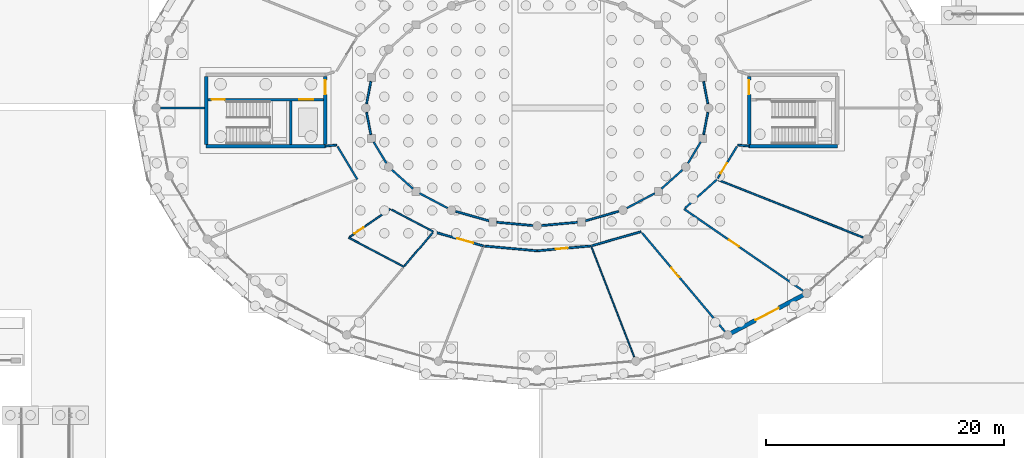
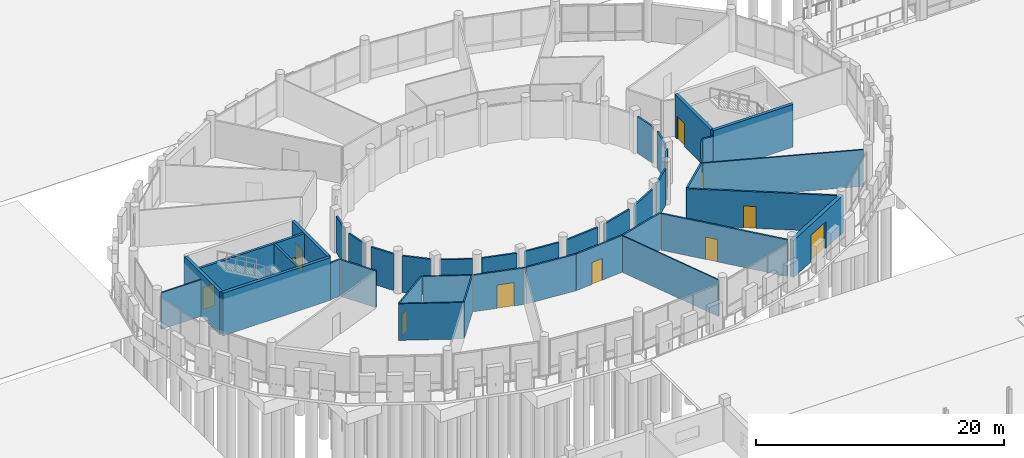
# One storey, part 77 of 98: 40 walls, 11 doors, 11 openings.
"""IFC4 building model written with IfcOpenShell, lengths in metres."""

from ifc_helpers import new_model, si_unit, direction, frame, frame_2d, origin, place, context, subcontext, project, spatial, rectangle, extrude, material, layer, layer_set, type_object, element, fill, save


model = new_model("IFC4")

# Units and contexts
model_context = context("Model", 3, precision=1e-05, world=origin(), true_north=direction((0.0, 1.0)))
body_context = subcontext(model_context, "Body", "Model", "MODEL_VIEW")
ifc_project = project(units=[si_unit("LENGTHUNIT", "METRE"), si_unit("AREAUNIT", "SQUARE_METRE"), si_unit("VOLUMEUNIT", "CUBIC_METRE"), si_unit("PLANEANGLEUNIT", "RADIAN"), si_unit("MASSUNIT", "GRAM", prefix="KILO")], contexts=[model_context])

# Site, building, storey
site_placement = place(None, origin())
site = spatial("IfcSite", under=ifc_project, at=site_placement, CompositionType="ELEMENT")
building_placement = place(site_placement, origin())
building = spatial("IfcBuilding", under=site, at=building_placement, Name="Zornivar Specialist Clinic", CompositionType="ELEMENT")
storey_placement = place(building_placement, origin())
storey = spatial("IfcBuildingStorey", under=building, at=storey_placement, Name="L00", CompositionType="ELEMENT", Elevation=0.0)

# Wall, opening, door
ifc_material_1 = material(Name="Masonry Drum Limestone Portal Wall", Category="masonry")
ifc_layer_1 = layer(ifc_material_1, 0.35009765625)
ifc_layer_set_1 = layer_set([ifc_layer_1], Name="Masonry Drum Limestone Portal Wall")
wall_type_1 = type_object("IfcWallType", Name="EW-DRUM-350", PredefinedType="SOLIDWALL", material=ifc_layer_set_1)
wall_1_placement = place(storey_placement, frame((109.60009765625, 38.547119140625, 0.0), z_axis=(0.0, 0.0, 1.0), x_axis=(0.884425099405, 0.466682165443, 0.0)))
wall_1 = element("IfcWall", 1, at=wall_1_placement, inside=storey, type_object=wall_type_1, Name="ew:V1:L00:c20", PredefinedType="SOLIDWALL", context=body_context, shape_type="SweptSolid", body=[
    extrude(rectangle(XDim=7.492919921875, YDim=0.35009765625, at=frame_2d((3.74658203125, 0.0))), origin(), (0.0, 0.0, 1.0), 3.64990234375),
])
opening_1_placement = place(wall_1_placement, frame((2.64697265625, 0.0, 0.0)))
opening_1 = element("IfcOpeningElement", 2, at=opening_1_placement, cuts=wall_1, Name="Opening ED-01", PredefinedType="OPENING", context=body_context, shape_type="SweptSolid", body=[
    extrude(rectangle(XDim=2.199951171875, YDim=2.60009765625, at=frame_2d((1.10009765625, 1.300048828125))), frame((0.0, 0.18505859375, 0.0), z_axis=(0.0, -1.0, 0.0), x_axis=(1.0, 0.0, 0.0)), (0.0, 0.0, 1.0), 0.3701171875),
])
ifc_material_2 = material(Name="Thermally Broken Glazed Aluminium Door", Category="aluminium")
door_type_1 = type_object("IfcDoorType", Name="ED-MAIN-2200x2600", OperationType="NOTDEFINED", PredefinedType="DOOR", material=ifc_material_2)
door_1_placement = place(opening_1_placement, frame((2.199951171875, 0.0, 0.0), z_axis=(0.0, 0.0, 1.0), x_axis=(-1.0, 0.0, 0.0)))
door_1 = element("IfcDoor", 3, at=door_1_placement, inside=storey, type_object=door_type_1, Name="door:V1:L00:c20", OperationType="DOUBLE_DOOR_SINGLE_SWING", OverallHeight=2.60009765625, OverallWidth=2.199951171875, PredefinedType="DOOR", context=body_context, shape_type="SweptSolid", body=[
    extrude(rectangle(XDim=2.199951171875, YDim=2.60009765625, at=frame_2d((1.10009765625, 1.300048828125))), frame((0.0, 0.02490234375, 0.0), z_axis=(0.0, -1.0, 0.0), x_axis=(1.0, 0.0, 0.0)), (0.0, 0.0, 1.0), 0.050048828125),
])
fill(opening_1, door_1)

# Walls
ifc_material_3 = material(Name="Acoustic Clinical Stud Partition")
ifc_layer_2 = layer(ifc_material_3, 0.139892578125)
ifc_layer_set_2 = layer_set([ifc_layer_2], Name="Acoustic Clinical Stud Partition")
wall_type_2 = type_object("IfcWallType", Name="IW-CLIN-140", PredefinedType="PARTITIONING", material=ifc_layer_set_2)
wall_2_placement = place(storey_placement, frame((65.64501953125, 57.60009765625, 0.0), z_axis=(0.0, 0.0, 1.0), x_axis=(-1.0, 0.0, 0.0)))
element("IfcWall", 4, at=wall_2_placement, inside=storey, type_object=wall_type_2, Name="iw:L00:046", PredefinedType="PARTITIONING", context=body_context, shape_type="SweptSolid", body=[
    extrude(rectangle(XDim=3.675048828125, YDim=0.139892578125, at=frame_2d((1.83740234375, 0.0))), origin(), (0.0, 0.0, 1.0), 3.590087890625),
])
wall_3_placement = place(storey_placement, frame((108.833984375, 51.552978515625, 0.0), z_axis=(0.0, 0.0, 1.0), x_axis=(0.929479211533, -0.368874498073, 0.0)))
element("IfcWall", 5, at=wall_3_placement, inside=storey, type_object=wall_type_2, Name="iw:L00:066", PredefinedType="PARTITIONING", context=body_context, shape_type="SweptSolid", body=[
    extrude(rectangle(XDim=13.0556640625, YDim=0.139892578125, at=frame_2d((6.52783203125, 0.0))), origin(), (0.0, 0.0, 1.0), 3.590087890625),
])
ifc_material_4 = material(Name="Gypsum Fire-Rated Double Stud Partition")
ifc_layer_3 = layer(ifc_material_4, 0.159912109375)
ifc_layer_set_3 = layer_set([ifc_layer_3], Name="Gypsum Fire-Rated Double Stud Partition")
wall_type_3 = type_object("IfcWallType", Name="IW-CORR-EI60-160", PredefinedType="PARTITIONING", material=ifc_layer_set_3)
for number, where, z_axis, x_axis, name in (
    (6, (107.929931640625, 57.962890625, 0.0), (0.0, 0.0, 1.0), (-0.187972268481, 0.982174335992, 0.0), "iw:L00:000"),
    (7, (79.6279296875, 59.8330078125, 0.0), (0.0, 0.0, 1.0), (-0.187972268481, -0.982174335992, 0.0), "iw:L00:011"),
    (8, (79.27001953125, 57.237060546875, 0.0), (0.0, 0.0, 1.0), (0.187972268481, -0.982174335992, 0.0), "iw:L00:012"),
):
    element("IfcWall", number, at=place(storey_placement, frame(where, z_axis=z_axis, x_axis=x_axis)), inside=storey, type_object=wall_type_3, Name=name, PredefinedType="PARTITIONING", context=body_context, shape_type="SweptSolid", body=[
        extrude(rectangle(XDim=1.904052734375, YDim=0.159912109375, at=frame_2d((0.9521484375, 0.0))), origin(), (0.0, 0.0, 1.0), 3.590087890625),
    ])
wall_4_placement = place(storey_placement, frame((79.864013671875, 54.7509765625, 0.0), z_axis=(0.0, 0.0, 1.0), x_axis=(0.515771112958, -0.856726420182, 0.0)))
element("IfcWall", 9, at=wall_4_placement, inside=storey, type_object=wall_type_3, Name="iw:L00:013", PredefinedType="PARTITIONING", context=body_context, shape_type="SweptSolid", body=[
    extrude(rectangle(XDim=2.082275390625, YDim=0.159912109375, at=frame_2d((1.041015625, 0.0))), origin(), (0.0, 0.0, 1.0), 3.590087890625),
])
wall_5_placement = place(storey_placement, frame((81.405029296875, 52.403076171875, 0.0), z_axis=(0.0, 0.0, 1.0), x_axis=(0.744876988428, -0.667201822622, 0.0)))
element("IfcWall", 10, at=wall_5_placement, inside=storey, type_object=wall_type_3, Name="iw:L00:014", PredefinedType="PARTITIONING", context=body_context, shape_type="SweptSolid", body=[
    extrude(rectangle(XDim=2.36669921875, YDim=0.159912109375, at=frame_2d((1.183349609375, 0.0))), origin(), (0.0, 0.0, 1.0), 3.590087890625),
])
wall_6_placement = place(storey_placement, frame((83.714111328125, 50.444091796875, 0.0), z_axis=(0.0, 0.0, 1.0), x_axis=(0.884361662152, -0.466802367727, 0.0)))
element("IfcWall", 11, at=wall_6_placement, inside=storey, type_object=wall_type_3, Name="iw:L00:015", PredefinedType="PARTITIONING", context=body_context, shape_type="SweptSolid", body=[
    extrude(rectangle(XDim=2.667236328125, YDim=0.159912109375, at=frame_2d((1.33349609375, 0.0))), origin(), (0.0, 0.0, 1.0), 3.590087890625),
])
wall_7_placement = place(storey_placement, frame((86.756103515625, 48.925048828125, 0.0), z_axis=(0.0, 0.0, 1.0), x_axis=(0.961742384931, -0.273955443506, 0.0)))
element("IfcWall", 12, at=wall_7_placement, inside=storey, type_object=wall_type_3, Name="iw:L00:016", PredefinedType="PARTITIONING", context=body_context, shape_type="SweptSolid", body=[
    extrude(rectangle(XDim=2.906005859375, YDim=0.159912109375, at=frame_2d((1.453125, 0.0))), origin(), (0.0, 0.0, 1.0), 3.590087890625),
])
for number, where, z_axis, x_axis, name in (
    (13, (90.20703125, 48.007080078125, 0.0), (0.0, 0.0, 1.0), (0.995917548136, -0.090267587293, 0.0), "iw:L00:017"),
    (14, (93.968017578125, 47.73291015625, 0.0), (0.0, 0.0, 1.0), (0.995917548136, 0.090267587293, 0.0), "iw:L00:018"),
):
    element("IfcWall", number, at=place(storey_placement, frame(where, z_axis=z_axis, x_axis=x_axis)), inside=storey, type_object=wall_type_3, Name=name, PredefinedType="PARTITIONING", context=body_context, shape_type="SweptSolid", body=[
        extrude(rectangle(XDim=3.037353515625, YDim=0.159912109375, at=frame_2d((1.5185546875, 0.0))), origin(), (0.0, 0.0, 1.0), 3.590087890625),
    ])
wall_8_placement = place(storey_placement, frame((97.64892578125, 48.12890625, 0.0), z_axis=(0.0, 0.0, 1.0), x_axis=(0.961748689224, 0.273933310818, 0.0)))
element("IfcWall", 15, at=wall_8_placement, inside=storey, type_object=wall_type_3, Name="iw:L00:019", PredefinedType="PARTITIONING", context=body_context, shape_type="SweptSolid", body=[
    extrude(rectangle(XDim=2.90625, YDim=0.159912109375, at=frame_2d((1.453125, 0.0))), origin(), (0.0, 0.0, 1.0), 3.590087890625),
])
wall_9_placement = place(storey_placement, frame((101.126953125, 49.198974609375, 0.0), z_axis=(0.0, 0.0, 1.0), x_axis=(0.884381604498, 0.466764584802, 0.0)))
element("IfcWall", 16, at=wall_9_placement, inside=storey, type_object=wall_type_3, Name="iw:L00:020", PredefinedType="PARTITIONING", context=body_context, shape_type="SweptSolid", body=[
    extrude(rectangle(XDim=2.66748046875, YDim=0.159912109375, at=frame_2d((1.333740234375, 0.0))), origin(), (0.0, 0.0, 1.0), 3.590087890625),
])
wall_10_placement = place(storey_placement, frame((104.031982421875, 50.822998046875, 0.0), z_axis=(0.0, 0.0, 1.0), x_axis=(0.744671945921, 0.667430665282, 0.0)))
element("IfcWall", 17, at=wall_10_placement, inside=storey, type_object=wall_type_3, Name="iw:L00:021", PredefinedType="PARTITIONING", context=body_context, shape_type="SweptSolid", body=[
    extrude(rectangle(XDim=2.367431640625, YDim=0.159912109375, at=frame_2d((1.18359375, 0.0))), origin(), (0.0, 0.0, 1.0), 3.590087890625),
])
wall_11_placement = place(storey_placement, frame((106.261962890625, 52.967041015625, 0.0), z_axis=(0.0, 0.0, 1.0), x_axis=(0.515771112958, 0.856726420182, 0.0)))
element("IfcWall", 18, at=wall_11_placement, inside=storey, type_object=wall_type_3, Name="iw:L00:022", PredefinedType="PARTITIONING", context=body_context, shape_type="SweptSolid", body=[
    extrude(rectangle(XDim=2.082275390625, YDim=0.159912109375, at=frame_2d((1.041015625, 0.0))), origin(), (0.0, 0.0, 1.0), 3.590087890625),
])
wall_12_placement = place(storey_placement, frame((107.572021484375, 55.366943359375, 0.0), z_axis=(0.0, 0.0, 1.0), x_axis=(0.187972268481, 0.982174335992, 0.0)))
element("IfcWall", 19, at=wall_12_placement, inside=storey, type_object=wall_type_3, Name="iw:L00:023", PredefinedType="PARTITIONING", context=body_context, shape_type="SweptSolid", body=[
    extrude(rectangle(XDim=1.904052734375, YDim=0.159912109375, at=frame_2d((0.9521484375, 0.0))), origin(), (0.0, 0.0, 1.0), 3.590087890625),
])
wall_13_placement = place(storey_placement, frame((75.800048828125, 54.39990234375, 0.0), z_axis=(0.0, 0.0, 1.0), x_axis=(0.994851446462, 0.101343966136, 0.0)))
element("IfcWall", 20, at=wall_13_placement, inside=storey, type_object=wall_type_3, Name="iw:L00:049", PredefinedType="PARTITIONING", context=body_context, shape_type="SweptSolid", body=[
    extrude(rectangle(XDim=0.958740234375, YDim=0.159912109375, at=frame_2d((0.4794921875, 0.0))), origin(), (0.0, 0.0, 1.0), 3.590087890625),
])
wall_14_placement = place(storey_placement, frame((76.826904296875, 54.3759765625, 0.0), z_axis=(0.0, 0.0, 1.0), x_axis=(0.515993285702, -0.85659262728, 0.0)))
element("IfcWall", 21, at=wall_14_placement, inside=storey, type_object=wall_type_3, Name="iw:L00:050", PredefinedType="PARTITIONING", context=body_context, shape_type="SweptSolid", body=[
    extrude(rectangle(XDim=3.23486328125, YDim=0.159912109375, at=frame_2d((1.617431640625, 0.0))), origin(), (0.0, 0.0, 1.0), 3.590087890625),
])

# Wall, opening, door
wall_15_placement = place(storey_placement, frame((84.998046875, 47.181884765625, 0.0), z_axis=(0.0, 0.0, 1.0), x_axis=(0.961841952324, -0.27360566286, 0.0)))
wall_15 = element("IfcWall", 22, at=wall_15_placement, inside=storey, type_object=wall_type_3, Name="iw:L00:057", PredefinedType="PARTITIONING", context=body_context, shape_type="SweptSolid", body=[
    extrude(rectangle(XDim=4.25, YDim=0.159912109375, at=frame_2d((2.125, 0.0))), origin(), (0.0, 0.0, 1.0), 3.590087890625),
])
opening_2_placement = place(wall_15_placement, frame((1.949951171875, 0.0, 0.0)))
opening_2 = element("IfcOpeningElement", 23, at=opening_2_placement, cuts=wall_15, Name="Opening ID-12", PredefinedType="OPENING", context=body_context, shape_type="SweptSolid", body=[
    extrude(rectangle(XDim=1.39990234375, YDim=2.300048828125, at=frame_2d((0.699951171875, 1.14990234375))), frame((0.0, 0.08984375, 0.0), z_axis=(0.0, -1.0, 0.0), x_axis=(1.0, 0.0, 0.0)), (0.0, 0.0, 1.0), 0.179931640625),
])
ifc_material_5 = material(Name="Solid-Core Hygienic Laminate Timber Door", Category="wood")
door_type_2 = type_object("IfcDoorType", Name="ID-WAIT-1400x2300", OperationType="NOTDEFINED", PredefinedType="DOOR", material=ifc_material_5)
door_2_placement = place(opening_2_placement, origin())
door_2 = element("IfcDoor", 24, at=door_2_placement, inside=storey, type_object=door_type_2, Name="door:space:V1:L00:rm:11", OperationType="DOUBLE_DOOR_SINGLE_SWING", OverallHeight=2.300048828125, OverallWidth=1.39990234375, PredefinedType="DOOR", context=body_context, shape_type="SweptSolid", body=[
    extrude(rectangle(XDim=1.39990234375, YDim=2.300048828125, at=frame_2d((0.699951171875, 1.14990234375))), frame((0.0, 0.02490234375, 0.0), z_axis=(0.0, -1.0, 0.0), x_axis=(1.0, 0.0, 0.0)), (0.0, 0.0, 1.0), 0.050048828125),
])
fill(opening_2, door_2)

wall_16_placement = place(storey_placement, frame((93.60009765625, 45.610107421875, 0.0), z_axis=(0.0, 0.0, 1.0), x_axis=(0.995921415334, 0.090224910524, 0.0)))
wall_16 = element("IfcWall", 25, at=wall_16_placement, inside=storey, type_object=wall_type_3, Name="iw:L00:059", PredefinedType="PARTITIONING", context=body_context, shape_type="SweptSolid", body=[
    extrude(rectangle(XDim=4.532470703125, YDim=0.159912109375, at=frame_2d((2.26611328125, 0.0))), origin(), (0.0, 0.0, 1.0), 3.590087890625),
])
opening_3_placement = place(wall_16_placement, frame((1.552001953125, 0.0, 0.0)))
opening_3 = element("IfcOpeningElement", 26, at=opening_3_placement, cuts=wall_16, Name="Opening ID-04", PredefinedType="OPENING", context=body_context, shape_type="SweptSolid", body=[
    extrude(rectangle(XDim=1.0, YDim=2.14990234375, at=frame_2d((0.5, 1.074951171875))), frame((0.0, 0.08984375, 0.0), z_axis=(0.0, -1.0, 0.0), x_axis=(1.0, 0.0, 0.0)), (0.0, 0.0, 1.0), 0.179931640625),
])
ifc_material_6 = material(Name="Solid-Core Hygienic Laminate Timber Door", Category="wood")
door_type_3 = type_object("IfcDoorType", Name="ID-EXAM-1000x2150", OperationType="NOTDEFINED", PredefinedType="DOOR", material=ifc_material_6)
door_3_placement = place(opening_3_placement, origin())
door_3 = element("IfcDoor", 27, at=door_3_placement, inside=storey, type_object=door_type_3, Name="door:space:V1:L00:rm:12", OperationType="SINGLE_SWING_LEFT", OverallHeight=2.14990234375, OverallWidth=1.0, PredefinedType="DOOR", context=body_context, shape_type="SweptSolid", body=[
    extrude(rectangle(XDim=1.0, YDim=2.14990234375, at=frame_2d((0.5, 1.074951171875))), frame((0.0, 0.02490234375, 0.0), z_axis=(0.0, -1.0, 0.0), x_axis=(1.0, 0.0, 0.0)), (0.0, 0.0, 1.0), 0.050048828125),
])
fill(opening_3, door_3)

# Walls
wall_17_placement = place(storey_placement, frame((89.18603515625, 46.010009765625, 0.0), z_axis=(0.0, 0.0, 1.0), x_axis=(0.995918521986, -0.090256842203, 0.0)))
element("IfcWall", 28, at=wall_17_placement, inside=storey, type_object=wall_type_3, Name="iw:L00:061", PredefinedType="PARTITIONING", context=body_context, shape_type="SweptSolid", body=[
    extrude(rectangle(XDim=4.419921875, YDim=0.159912109375, at=frame_2d((2.2099609375, 0.0))), origin(), (0.0, 0.0, 1.0), 3.590087890625),
])
wall_18_placement = place(storey_placement, frame((98.18798828125, 46.0400390625, 0.0), z_axis=(0.0, 0.0, 1.0), x_axis=(0.961804365472, 0.273737762392, 0.0)))
element("IfcWall", 29, at=wall_18_placement, inside=storey, type_object=wall_type_3, Name="iw:L00:062", PredefinedType="PARTITIONING", context=body_context, shape_type="SweptSolid", body=[
    extrude(rectangle(XDim=4.296142578125, YDim=0.159912109375, at=frame_2d((2.14794921875, 0.0))), origin(), (0.0, 0.0, 1.0), 3.590087890625),
])

# Wall, opening, door
wall_19_placement = place(storey_placement, frame((102.408935546875, 47.110107421875, 0.0), z_axis=(0.0, 0.0, 1.0), x_axis=(0.643078226154, -0.765800492978, 0.0)))
wall_19 = element("IfcWall", 30, at=wall_19_placement, inside=storey, type_object=wall_type_3, Name="iw:L00:063", PredefinedType="PARTITIONING", context=body_context, shape_type="SweptSolid", body=[
    extrude(rectangle(XDim=10.812255859375, YDim=0.159912109375, at=frame_2d((5.40625, 0.0))), origin(), (0.0, 0.0, 1.0), 3.590087890625),
])
opening_4_placement = place(wall_19_placement, frame((3.81103515625, 0.0, 0.0)))
opening_4 = element("IfcOpeningElement", 31, at=opening_4_placement, cuts=wall_19, Name="Opening ID-15", PredefinedType="OPENING", context=body_context, shape_type="SweptSolid", body=[
    extrude(rectangle(XDim=1.050048828125, YDim=2.199951171875, at=frame_2d((0.52490234375, 1.10009765625))), frame((0.0, 0.08984375, 0.0), z_axis=(0.0, -1.0, 0.0), x_axis=(1.0, 0.0, 0.0)), (0.0, 0.0, 1.0), 0.179931640625),
])
ifc_material_7 = material(Name="Solid-Core Hygienic Laminate Timber Door", Category="wood")
door_type_4 = type_object("IfcDoorType", Name="ID-COUNS-1050x2200", OperationType="NOTDEFINED", PredefinedType="DOOR", material=ifc_material_7)
door_4_placement = place(opening_4_placement, origin())
door_4 = element("IfcDoor", 32, at=door_4_placement, inside=storey, type_object=door_type_4, Name="door:space:V1:L00:rm:13", OperationType="SINGLE_SWING_RIGHT", OverallHeight=2.199951171875, OverallWidth=1.050048828125, PredefinedType="DOOR", context=body_context, shape_type="SweptSolid", body=[
    extrude(rectangle(XDim=1.050048828125, YDim=2.199951171875, at=frame_2d((0.52490234375, 1.10009765625))), frame((0.0, 0.02490234375, 0.0), z_axis=(0.0, -1.0, 0.0), x_axis=(1.0, 0.0, 0.0)), (0.0, 0.0, 1.0), 0.050048828125),
])
fill(opening_4, door_4)

wall_20_placement = place(storey_placement, frame((115.922119140625, 42.25390625, 0.0), z_axis=(0.0, 0.0, 1.0), x_axis=(-0.824046624816, 0.566521985565, 0.0)))
wall_20 = element("IfcWall", 33, at=wall_20_placement, inside=storey, type_object=wall_type_3, Name="iw:L00:064", PredefinedType="PARTITIONING", context=body_context, shape_type="SweptSolid", body=[
    extrude(rectangle(XDim=12.123291015625, YDim=0.159912109375, at=frame_2d((6.0615234375, 0.0))), origin(), (0.0, 0.0, 1.0), 3.590087890625),
])
opening_5_placement = place(wall_20_placement, frame((6.529052734375, 0.0, 0.0)))
opening_5 = element("IfcOpeningElement", 34, at=opening_5_placement, cuts=wall_20, Name="Opening ID-04", PredefinedType="OPENING", context=body_context, shape_type="SweptSolid", body=[
    extrude(rectangle(XDim=1.0, YDim=2.14990234375, at=frame_2d((0.5, 1.074951171875))), frame((0.0, 0.08984375, 0.0), z_axis=(0.0, -1.0, 0.0), x_axis=(1.0, 0.0, 0.0)), (0.0, 0.0, 1.0), 0.179931640625),
])
door_5_placement = place(opening_5_placement, origin())
door_5 = element("IfcDoor", 35, at=door_5_placement, inside=storey, type_object=door_type_3, Name="door:space:V1:L00:rm:14", OperationType="SINGLE_SWING_LEFT", OverallHeight=2.14990234375, OverallWidth=1.0, PredefinedType="DOOR", context=body_context, shape_type="SweptSolid", body=[
    extrude(rectangle(XDim=1.0, YDim=2.14990234375, at=frame_2d((0.5, 1.074951171875))), frame((0.0, 0.02490234375, 0.0), z_axis=(0.0, -1.0, 0.0), x_axis=(1.0, 0.0, 0.0)), (0.0, 0.0, 1.0), 0.050048828125),
])
fill(opening_5, door_5)

# Walls
wall_21_placement = place(storey_placement, frame((106.01904296875, 49.198974609375, 0.0), z_axis=(0.0, 0.0, 1.0), x_axis=(0.744746986202, 0.667346931171, 0.0)))
element("IfcWall", 36, at=wall_21_placement, inside=storey, type_object=wall_type_3, Name="iw:L00:065", PredefinedType="PARTITIONING", context=body_context, shape_type="SweptSolid", body=[
    extrude(rectangle(XDim=3.605224609375, YDim=0.159912109375, at=frame_2d((1.802734375, 0.0))), origin(), (0.0, 0.0, 1.0), 3.590087890625),
])
wall_22_placement = place(storey_placement, frame((110.446044921875, 54.4970703125, 0.0), z_axis=(0.0, 0.0, 1.0), x_axis=(0.994851446462, -0.101343966136, 0.0)))
element("IfcWall", 37, at=wall_22_placement, inside=storey, type_object=wall_type_3, Name="iw:L00:067", PredefinedType="PARTITIONING", context=body_context, shape_type="SweptSolid", body=[
    extrude(rectangle(XDim=0.958740234375, YDim=0.159912109375, at=frame_2d((0.4794921875, 0.0))), origin(), (0.0, 0.0, 1.0), 3.590087890625),
])

# Wall, opening, door
wall_23_placement = place(storey_placement, frame((108.7548828125, 51.68896484375, 0.0), z_axis=(0.0, 0.0, 1.0), x_axis=(0.515891527753, 0.85665391588, 0.0)))
wall_23 = element("IfcWall", 38, at=wall_23_placement, inside=storey, type_object=wall_type_3, Name="iw:L00:068", PredefinedType="PARTITIONING", context=body_context, shape_type="SweptSolid", body=[
    extrude(rectangle(XDim=3.13671875, YDim=0.159912109375, at=frame_2d((1.568359375, 0.0))), origin(), (0.0, 0.0, 1.0), 3.590087890625),
])
opening_6_placement = place(wall_23_placement, frame((0.47998046875, 0.0, 0.0)))
opening_6 = element("IfcOpeningElement", 39, at=opening_6_placement, cuts=wall_23, Name="Opening ID-04", PredefinedType="OPENING", context=body_context, shape_type="SweptSolid", body=[
    extrude(rectangle(XDim=1.0, YDim=2.14990234375, at=frame_2d((0.5, 1.074951171875))), frame((0.0, 0.08984375, 0.0), z_axis=(0.0, -1.0, 0.0), x_axis=(1.0, 0.0, 0.0)), (0.0, 0.0, 1.0), 0.179931640625),
])
door_6_placement = place(opening_6_placement, origin())
door_6 = element("IfcDoor", 40, at=door_6_placement, inside=storey, type_object=door_type_3, Name="door:space:V1:L00:rm:15", OperationType="SINGLE_SWING_RIGHT", OverallHeight=2.14990234375, OverallWidth=1.0, PredefinedType="DOOR", context=body_context, shape_type="SweptSolid", body=[
    extrude(rectangle(XDim=1.0, YDim=2.14990234375, at=frame_2d((0.5, 1.074951171875))), frame((0.0, 0.02490234375, 0.0), z_axis=(0.0, -1.0, 0.0), x_axis=(1.0, 0.0, 0.0)), (0.0, 0.0, 1.0), 0.050048828125),
])
fill(opening_6, door_6)

# Walls
ifc_material_8 = material(Name="Acoustic Sub-Waiting Alcove Partition")
ifc_layer_4 = layer(ifc_material_8, 0.110107421875)
ifc_layer_set_4 = layer_set([ifc_layer_4], Name="Acoustic Sub-Waiting Alcove Partition")
wall_type_4 = type_object("IfcWallType", Name="IW-SUBWAIT-110", PredefinedType="PARTITIONING", material=ifc_layer_set_4)
wall_24_placement = place(storey_placement, frame((98.155029296875, 45.9130859375, 0.0), z_axis=(0.0, 0.0, 1.0), x_axis=(0.363168991576, -0.931723287011, 0.0)))
element("IfcWall", 41, at=wall_24_placement, inside=storey, type_object=wall_type_4, Name="iw:L00:060", PredefinedType="PARTITIONING", context=body_context, shape_type="SweptSolid", body=[
    extrude(rectangle(XDim=9.8935546875, YDim=0.110107421875, at=frame_2d((4.94677734375, 0.0))), origin(), (0.0, 0.0, 1.0), 3.590087890625),
])
ifc_material_9 = material(Name="Moisture-Resistant Sanitary Partition")
ifc_layer_5 = layer(ifc_material_9, 0.1298828125)
ifc_layer_set_5 = layer_set([ifc_layer_5], Name="Moisture-Resistant Sanitary Partition")
wall_type_5 = type_object("IfcWallType", Name="IW-WET-130", PredefinedType="PARTITIONING", material=ifc_layer_set_5)
wall_25_placement = place(storey_placement, frame((82.405029296875, 44.26904296875, 0.0), z_axis=(0.0, 0.0, 1.0), x_axis=(-0.8844824522, 0.466573458042, 0.0)))
element("IfcWall", 42, at=wall_25_placement, inside=storey, type_object=wall_type_5, Name="iw:L00:052", PredefinedType="PARTITIONING", context=body_context, shape_type="SweptSolid", body=[
    extrude(rectangle(XDim=5.24267578125, YDim=0.1298828125, at=frame_2d((2.621337890625, 0.0))), origin(), (0.0, 0.0, 1.0), 3.590087890625),
])

# Wall, opening, door
wall_26_placement = place(storey_placement, frame((77.8701171875, 46.784912109375, 0.0), z_axis=(0.0, 0.0, 1.0), x_axis=(0.823920996576, 0.566704677412, 0.0)))
wall_26 = element("IfcWall", 43, at=wall_26_placement, inside=storey, type_object=wall_type_5, Name="iw:L00:053", PredefinedType="PARTITIONING", context=body_context, shape_type="SweptSolid", body=[
    extrude(rectangle(XDim=4.1240234375, YDim=0.1298828125, at=frame_2d((2.06201171875, 0.0))), origin(), (0.0, 0.0, 1.0), 3.590087890625),
])
opening_7_placement = place(wall_26_placement, frame((0.47998046875, 0.0, 0.0)))
opening_7 = element("IfcOpeningElement", 44, at=opening_7_placement, cuts=wall_26, Name="Opening ID-08", PredefinedType="OPENING", context=body_context, shape_type="SweptSolid", body=[
    extrude(rectangle(XDim=0.89990234375, YDim=2.10009765625, at=frame_2d((0.449951171875, 1.050048828125))), frame((0.0, 0.074951171875, 0.0), z_axis=(0.0, -1.0, 0.0), x_axis=(1.0, 0.0, 0.0)), (0.0, 0.0, 1.0), 0.14990234375),
])
ifc_material_10 = material(Name="Solid-Core Hygienic Laminate Timber Door", Category="wood")
door_type_5 = type_object("IfcDoorType", Name="ID-WC-STD-0900x2100", OperationType="NOTDEFINED", PredefinedType="DOOR", material=ifc_material_10)
door_7_placement = place(opening_7_placement, origin())
door_7 = element("IfcDoor", 45, at=door_7_placement, inside=storey, type_object=door_type_5, Name="door:space:V1:L00:rm:10", OperationType="SINGLE_SWING_LEFT", OverallHeight=2.10009765625, OverallWidth=0.89990234375, PredefinedType="DOOR", context=body_context, shape_type="SweptSolid", body=[
    extrude(rectangle(XDim=0.89990234375, YDim=2.10009765625, at=frame_2d((0.449951171875, 1.050048828125))), frame((0.0, 0.02490234375, 0.0), z_axis=(0.0, -1.0, 0.0), x_axis=(1.0, 0.0, 0.0)), (0.0, 0.0, 1.0), 0.050048828125),
])
fill(opening_7, door_7)

# Walls
wall_27_placement = place(storey_placement, frame((81.376953125, 49.06396484375, 0.0), z_axis=(0.0, 0.0, 1.0), x_axis=(0.884475212642, -0.466587181802, 0.0)))
element("IfcWall", 46, at=wall_27_placement, inside=storey, type_object=wall_type_5, Name="iw:L00:054", PredefinedType="PARTITIONING", context=body_context, shape_type="SweptSolid", body=[
    extrude(rectangle(XDim=3.96044921875, YDim=0.1298828125, at=frame_2d((1.980224609375, 0.0))), origin(), (0.0, 0.0, 1.0), 3.590087890625),
])
wall_28_placement = place(storey_placement, frame((84.819091796875, 47.14306640625, 0.0), z_axis=(0.0, 0.0, 1.0), x_axis=(-0.643218693498, -0.765682514059, 0.0)))
element("IfcWall", 47, at=wall_28_placement, inside=storey, type_object=wall_type_5, Name="iw:L00:055", PredefinedType="PARTITIONING", context=body_context, shape_type="SweptSolid", body=[
    extrude(rectangle(XDim=3.658203125, YDim=0.1298828125, at=frame_2d((1.8291015625, 0.0))), origin(), (0.0, 0.0, 1.0), 3.590087890625),
])
ifc_material_11 = material(Name="Concrete C35/45", Category="concrete")
ifc_layer_6 = layer(ifc_material_11, 0.280029296875)
ifc_layer_set_6 = layer_set([ifc_layer_6], Name="Concrete C35/45")
wall_type_6 = type_object("IfcWallType", Name="SW-CORE-280", PredefinedType="SHEAR", material=ifc_layer_set_6)
wall_29_placement = place(storey_placement, frame((65.800048828125, 54.39990234375, 0.0), z_axis=(0.0, 0.0, 1.0), x_axis=(1.0, 0.0, 0.0)))
element("IfcWall", 48, at=wall_29_placement, inside=storey, type_object=wall_type_6, Name="sw:C3:L00:w0", PredefinedType="SHEAR", context=body_context, shape_type="SweptSolid", body=[
    extrude(rectangle(XDim=10.0, YDim=0.280029296875, at=frame_2d((5.0, 0.0))), origin(), (0.0, 0.0, 1.0), 4.2099609375),
])

# Wall, opening, door
wall_30_placement = place(storey_placement, frame((75.800048828125, 54.5400390625, 0.0), z_axis=(0.0, 0.0, 1.0), x_axis=(0.0, 1.0, 0.0)))
wall_30 = element("IfcWall", 49, at=wall_30_placement, inside=storey, type_object=wall_type_6, Name="sw:C3:L00:w1", PredefinedType="SHEAR", context=body_context, shape_type="SweptSolid", body=[
    extrude(rectangle(XDim=5.719970703125, YDim=0.280029296875, at=frame_2d((2.85986328125, 0.0))), origin(), (0.0, 0.0, 1.0), 4.2099609375),
])
opening_8_placement = place(wall_30_placement, frame((4.199951171875, 0.0, 0.0)))
opening_8 = element("IfcOpeningElement", 50, at=opening_8_placement, cuts=wall_30, Name="Opening FD-01", PredefinedType="OPENING", context=body_context, shape_type="SweptSolid", body=[
    extrude(rectangle(XDim=1.199951171875, YDim=2.25, at=frame_2d((0.60009765625, 1.125))), frame((0.0, 0.14990234375, 0.0), z_axis=(0.0, -1.0, 0.0), x_axis=(1.0, 0.0, 0.0)), (0.0, 0.0, 1.0), 0.300048828125),
])
ifc_material_12 = material(Name="Solid-Core Hygienic Laminate Timber Door", Category="wood")
door_type_6 = type_object("IfcDoorType", Name="FD-LOBBY-MAIN-1200x2250", OperationType="NOTDEFINED", PredefinedType="DOOR", material=ifc_material_12)
door_8_placement = place(opening_8_placement, origin())
door_8 = element("IfcDoor", 51, at=door_8_placement, inside=storey, type_object=door_type_6, Name="door:C3:L00:lob", OperationType="SINGLE_SWING_RIGHT", OverallHeight=2.25, OverallWidth=1.199951171875, PredefinedType="DOOR", context=body_context, shape_type="SweptSolid", body=[
    extrude(rectangle(XDim=1.199951171875, YDim=2.25, at=frame_2d((0.60009765625, 1.125))), frame((0.0, 0.02490234375, 0.0), z_axis=(0.0, -1.0, 0.0), x_axis=(1.0, 0.0, 0.0)), (0.0, 0.0, 1.0), 0.050048828125),
])
fill(opening_8, door_8)

# Walls
wall_31_placement = place(storey_placement, frame((65.800048828125, 60.260009765625, 0.0), z_axis=(0.0, 0.0, 1.0), x_axis=(0.0, -1.0, 0.0)))
element("IfcWall", 52, at=wall_31_placement, inside=storey, type_object=wall_type_6, Name="sw:C3:L00:w3", PredefinedType="SHEAR", context=body_context, shape_type="SweptSolid", body=[
    extrude(rectangle(XDim=5.719970703125, YDim=0.280029296875, at=frame_2d((2.85986328125, 0.0))), origin(), (0.0, 0.0, 1.0), 4.2099609375),
])
wall_32_placement = place(storey_placement, frame((111.39990234375, 54.39990234375, 0.0), z_axis=(0.0, 0.0, 1.0), x_axis=(1.0, 0.0, 0.0)))
element("IfcWall", 53, at=wall_32_placement, inside=storey, type_object=wall_type_6, Name="sw:C4:L00:w0", PredefinedType="SHEAR", context=body_context, shape_type="SweptSolid", body=[
    extrude(rectangle(XDim=7.400146484375, YDim=0.280029296875, at=frame_2d((3.7001953125, 0.0))), origin(), (0.0, 0.0, 1.0), 4.2099609375),
])

# Wall, opening, door
wall_33_placement = place(storey_placement, frame((111.39990234375, 60.260009765625, 0.0), z_axis=(0.0, 0.0, 1.0), x_axis=(0.0, -1.0, 0.0)))
wall_33 = element("IfcWall", 54, at=wall_33_placement, inside=storey, type_object=wall_type_6, Name="sw:C4:L00:w3", PredefinedType="SHEAR", context=body_context, shape_type="SweptSolid", body=[
    extrude(rectangle(XDim=5.719970703125, YDim=0.280029296875, at=frame_2d((2.85986328125, 0.0))), origin(), (0.0, 0.0, 1.0), 4.2099609375),
])
opening_9_placement = place(wall_33_placement, frame((0.320068359375, 0.0, 0.0)))
opening_9 = element("IfcOpeningElement", 55, at=opening_9_placement, cuts=wall_33, Name="Opening FD-01", PredefinedType="OPENING", context=body_context, shape_type="SweptSolid", body=[
    extrude(rectangle(XDim=1.199951171875, YDim=2.25, at=frame_2d((0.60009765625, 1.125))), frame((0.0, 0.14990234375, 0.0), z_axis=(0.0, -1.0, 0.0), x_axis=(1.0, 0.0, 0.0)), (0.0, 0.0, 1.0), 0.300048828125),
])
door_9_placement = place(opening_9_placement, origin())
door_9 = element("IfcDoor", 56, at=door_9_placement, inside=storey, type_object=door_type_6, Name="door:C4:L00:lob", OperationType="SINGLE_SWING_RIGHT", OverallHeight=2.25, OverallWidth=1.199951171875, PredefinedType="DOOR", context=body_context, shape_type="SweptSolid", body=[
    extrude(rectangle(XDim=1.199951171875, YDim=2.25, at=frame_2d((0.60009765625, 1.125))), frame((0.0, 0.02490234375, 0.0), z_axis=(0.0, -1.0, 0.0), x_axis=(1.0, 0.0, 0.0)), (0.0, 0.0, 1.0), 0.050048828125),
])
fill(opening_9, door_9)

# Wall
ifc_material_13 = material(Name="Concrete C30/37", Category="concrete")
ifc_layer_7 = layer(ifc_material_13, 0.199951171875)
ifc_layer_set_7 = layer_set([ifc_layer_7], Name="Concrete C30/37")
wall_type_7 = type_object("IfcWallType", Name="SW-LIFT-200", PredefinedType="SHEAR", material=ifc_layer_set_7)
wall_34_placement = place(storey_placement, frame((72.89990234375, 54.5400390625, 0.0), z_axis=(0.0, 0.0, 1.0), x_axis=(0.0, 1.0, 0.0)))
element("IfcWall", 57, at=wall_34_placement, inside=storey, type_object=wall_type_7, Name="sw:C3:L00:sdiv", PredefinedType="SHEAR", context=body_context, shape_type="SweptSolid", body=[
    extrude(rectangle(XDim=3.659912109375, YDim=0.199951171875, at=frame_2d((1.830078125, 0.0))), origin(), (0.0, 0.0, 1.0), 4.2099609375),
])

# Wall, openings, doors
ifc_material_14 = material(Name="Concrete C30/37", Category="concrete")
ifc_layer_8 = layer(ifc_material_14, 0.219970703125)
ifc_layer_set_8 = layer_set([ifc_layer_8], Name="Concrete C30/37")
wall_type_8 = type_object("IfcWallType", Name="SW-SHAFT-220", PredefinedType="SHEAR", material=ifc_layer_set_8)
wall_35_placement = place(storey_placement, frame((65.93994140625, 58.31005859375, 0.0), z_axis=(0.0, 0.0, 1.0), x_axis=(1.0, 0.0, 0.0)))
wall_35 = element("IfcWall", 58, at=wall_35_placement, inside=storey, type_object=wall_type_8, Name="sw:C3:L00:stwall", PredefinedType="SHEAR", context=body_context, shape_type="SweptSolid", body=[
    extrude(rectangle(XDim=9.719970703125, YDim=0.219970703125, at=frame_2d((4.85986328125, 0.0))), origin(), (0.0, 0.0, 1.0), 4.2099609375),
])
opening_10_placement = place(wall_35_placement, frame((0.31005859375, 0.0, 0.0)))
opening_10 = element("IfcOpeningElement", 59, at=opening_10_placement, cuts=wall_35, Name="Opening FD-02", PredefinedType="OPENING", context=body_context, shape_type="SweptSolid", body=[
    extrude(rectangle(XDim=1.10009765625, YDim=2.14990234375, at=frame_2d((0.550048828125, 1.074951171875))), frame((0.0, 0.119873046875, 0.0), z_axis=(0.0, -1.0, 0.0), x_axis=(1.0, 0.0, 0.0)), (0.0, 0.0, 1.0), 0.239990234375),
])
opening_11_placement = place(wall_35_placement, frame((7.659912109375, 0.0, 0.0)))
opening_11 = element("IfcOpeningElement", 60, at=opening_11_placement, cuts=wall_35, Name="Opening LD-01", PredefinedType="OPENING", context=body_context, shape_type="SweptSolid", body=[
    extrude(rectangle(XDim=1.199951171875, YDim=2.199951171875, at=frame_2d((0.60009765625, 1.10009765625))), frame((0.0, 0.119873046875, 0.0), z_axis=(0.0, -1.0, 0.0), x_axis=(1.0, 0.0, 0.0)), (0.0, 0.0, 1.0), 0.239990234375),
])
ifc_material_15 = material(Name="Solid-Core Hygienic Laminate Timber Door", Category="wood")
door_type_7 = type_object("IfcDoorType", Name="FD-STAIR-1100x2150", OperationType="NOTDEFINED", PredefinedType="DOOR", material=ifc_material_15)
door_10_placement = place(opening_10_placement, origin())
door_10 = element("IfcDoor", 61, at=door_10_placement, inside=storey, type_object=door_type_7, Name="door:C3:L00:stair", OperationType="SINGLE_SWING_LEFT", OverallHeight=2.14990234375, OverallWidth=1.10009765625, PredefinedType="DOOR", context=body_context, shape_type="SweptSolid", body=[
    extrude(rectangle(XDim=1.10009765625, YDim=2.14990234375, at=frame_2d((0.550048828125, 1.074951171875))), frame((0.0, 0.02490234375, 0.0), z_axis=(0.0, -1.0, 0.0), x_axis=(1.0, 0.0, 0.0)), (0.0, 0.0, 1.0), 0.050048828125),
])
fill(opening_10, door_10)
ifc_material_16 = material(Name="Stainless Steel Lift Landing Sliding Door", Category="steel")
door_type_8 = type_object("IfcDoorType", Name="LD-LIFT-1200x2200", OperationType="NOTDEFINED", PredefinedType="DOOR", material=ifc_material_16)
door_11_placement = place(opening_11_placement, origin())
door_11 = element("IfcDoor", 62, at=door_11_placement, inside=storey, type_object=door_type_8, Name="door:C3:L00:lift", OperationType="DOUBLE_DOOR_SLIDING", OverallHeight=2.199951171875, OverallWidth=1.199951171875, PredefinedType="DOOR", context=body_context, shape_type="SweptSolid", body=[
    extrude(rectangle(XDim=1.199951171875, YDim=2.199951171875, at=frame_2d((0.60009765625, 1.10009765625))), frame((0.0, 0.02490234375, 0.0), z_axis=(0.0, -1.0, 0.0), x_axis=(1.0, 0.0, 0.0)), (0.0, 0.0, 1.0), 0.050048828125),
])
fill(opening_11, door_11)

save(model, "model.ifc")
